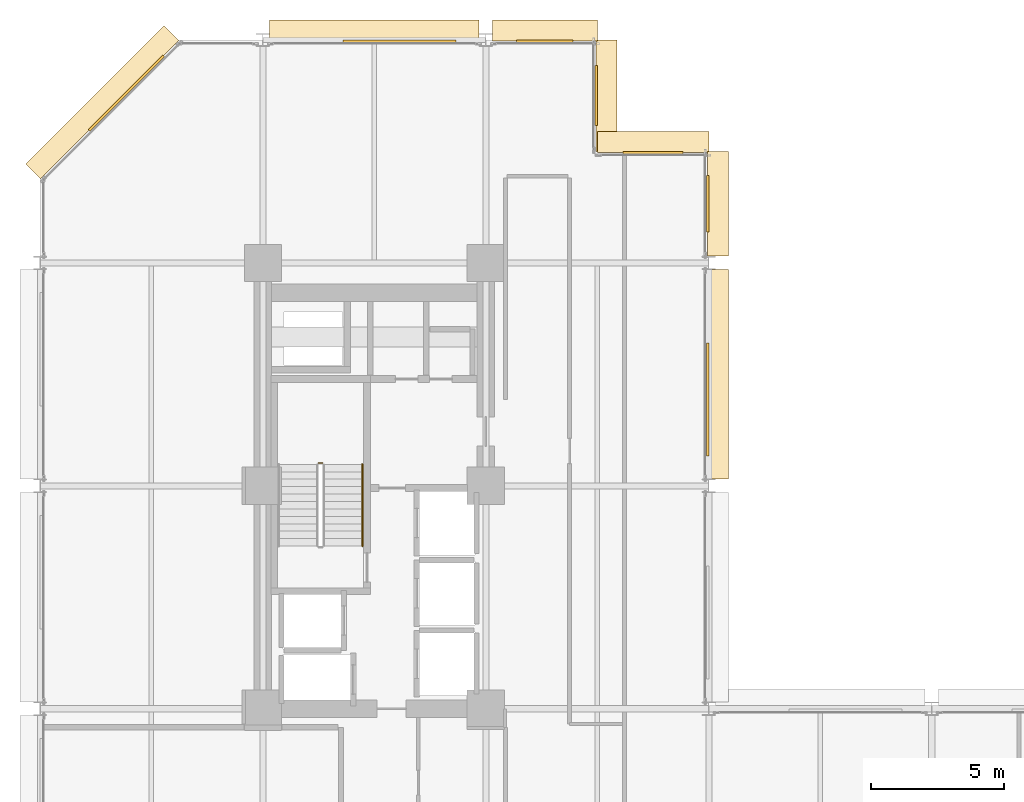
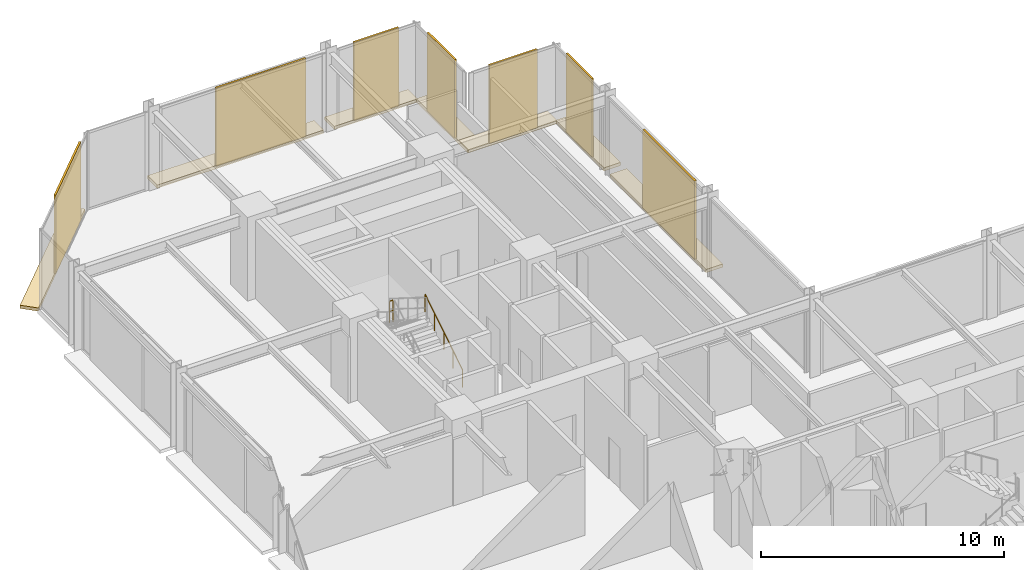
# One storey, part 27 of 27: 14 coverings, 2 railings.
"""IFC4 building model written with IfcOpenShell, lengths in metres."""

from ifc_helpers import new_model, si_unit, direction, frame, origin, origin_2d, place, context, subcontext, project, spatial, polyline, rectangle, circle, outline, extrude, material, layer, layer_set, type_object, element, save


model = new_model("IFC4")

# Units and contexts
model_context = context("Model", 3, precision=1e-05, world=origin(), true_north=direction((0.0, 1.0)))
body_context = subcontext(model_context, "Body", "Model", "MODEL_VIEW")
ifc_project = project(units=[si_unit("LENGTHUNIT", "METRE"), si_unit("AREAUNIT", "SQUARE_METRE"), si_unit("VOLUMEUNIT", "CUBIC_METRE"), si_unit("PLANEANGLEUNIT", "RADIAN"), si_unit("MASSUNIT", "GRAM", prefix="KILO")], contexts=[model_context])

# Site, building, storey
site_placement = place(None, origin())
site = spatial("IfcSite", under=ifc_project, at=site_placement, CompositionType="ELEMENT")
building_placement = place(site_placement, origin())
building = spatial("IfcBuilding", under=site, at=building_placement, Name="Nerrivon Quay Data Exchange", CompositionType="ELEMENT")
storey_placement = place(building_placement, frame((0.0, 0.0, 66.800048828125)))
storey = spatial("IfcBuildingStorey", under=building, at=storey_placement, Name="L15", CompositionType="ELEMENT", Elevation=66.800048828125)

# Coverings
ifc_material_1 = material(Name="Architectural terracotta ceramic", Category="masonry")
ifc_layer_1 = layer(ifc_material_1, 0.159912109375)
ifc_layer_set_1 = layer_set([ifc_layer_1], Name="Architectural terracotta ceramic")
covering_type_1 = type_object("IfcCoveringType", Name="COV-BLD-TERR", PredefinedType="CLADDING", material=ifc_layer_set_1)
covering_1_placement = place(storey_placement, frame((0.0, 0.0, -0.16015625)))
element("IfcCovering", 1, at=covering_1_placement, inside=storey, type_object=covering_type_1, Name="L15 Horizontal Terracotta SOLAR SCREEN Blade", PredefinedType="CLADDING", context=body_context, shape_type="SweptSolid", body=[
    extrude(outline(polyline([(0.0283203125, 45.171630859375), (5.228271484375, 50.37158203125), (4.669677734375, 50.930419921875), (-0.5302734375, 45.730224609375), (0.0283203125, 45.171630859375)])), origin(), (0.0, 0.0, 1.0), 0.16015625),
])
covering_2_placement = place(storey_placement, frame((0.0, 0.0, -0.16015625)))
element("IfcCovering", 2, at=covering_2_placement, inside=storey, type_object=covering_type_1, Name="L15 Horizontal Terracotta SOLAR SCREEN Blade", PredefinedType="CLADDING", context=body_context, shape_type="SweptSolid", body=[
    extrude(outline(polyline([(8.64990234375, 50.360107421875), (16.550048828125, 50.360107421875), (16.550048828125, 51.14990234375), (8.64990234375, 51.14990234375), (8.64990234375, 50.360107421875)])), origin(), (0.0, 0.0, 1.0), 0.16015625),
])
covering_3_placement = place(storey_placement, frame((0.0, 0.0, -0.16015625)))
element("IfcCovering", 3, at=covering_3_placement, inside=storey, type_object=covering_type_1, Name="L15 Horizontal Terracotta SOLAR SCREEN Blade", PredefinedType="CLADDING", context=body_context, shape_type="SweptSolid", body=[
    extrude(outline(polyline([(17.050048828125, 50.360107421875), (21.0, 50.360107421875), (21.0, 51.14990234375), (17.050048828125, 51.14990234375), (17.050048828125, 50.360107421875)])), origin(), (0.0, 0.0, 1.0), 0.16015625),
])
covering_4_placement = place(storey_placement, frame((0.0, 0.0, -0.16015625)))
element("IfcCovering", 4, at=covering_4_placement, inside=storey, type_object=covering_type_1, Name="L15 Horizontal Terracotta SOLAR SCREEN Blade", PredefinedType="CLADDING", context=body_context, shape_type="SweptSolid", body=[
    extrude(outline(polyline([(20.9599609375, 50.39990234375), (20.9599609375, 46.199951171875), (21.75, 46.199951171875), (21.75, 50.39990234375), (20.9599609375, 50.39990234375)])), origin(), (0.0, 0.0, 1.0), 0.16015625),
])
covering_5_placement = place(storey_placement, frame((0.0, 0.0, -0.16015625)))
element("IfcCovering", 5, at=covering_5_placement, inside=storey, type_object=covering_type_1, Name="L15 Horizontal Terracotta SOLAR SCREEN Blade", PredefinedType="CLADDING", context=body_context, shape_type="SweptSolid", body=[
    extrude(outline(polyline([(21.0, 46.159912109375), (25.199951171875, 46.159912109375), (25.199951171875, 46.949951171875), (21.0, 46.949951171875), (21.0, 46.159912109375)])), origin(), (0.0, 0.0, 1.0), 0.16015625),
])
covering_6_placement = place(storey_placement, frame((0.0, 0.0, -0.16015625)))
element("IfcCovering", 6, at=covering_6_placement, inside=storey, type_object=covering_type_1, Name="L15 Horizontal Terracotta SOLAR SCREEN Blade", PredefinedType="CLADDING", context=body_context, shape_type="SweptSolid", body=[
    extrude(outline(polyline([(25.159912109375, 46.199951171875), (25.159912109375, 42.25), (25.949951171875, 42.25), (25.949951171875, 46.199951171875), (25.159912109375, 46.199951171875)])), origin(), (0.0, 0.0, 1.0), 0.16015625),
])
covering_7_placement = place(storey_placement, frame((0.0, 0.0, -0.16015625)))
element("IfcCovering", 7, at=covering_7_placement, inside=storey, type_object=covering_type_1, Name="L15 Horizontal Terracotta SOLAR SCREEN Blade", PredefinedType="CLADDING", context=body_context, shape_type="SweptSolid", body=[
    extrude(outline(polyline([(25.159912109375, 41.75), (25.159912109375, 33.85009765625), (25.949951171875, 33.85009765625), (25.949951171875, 41.75), (25.159912109375, 41.75)])), origin(), (0.0, 0.0, 1.0), 0.16015625),
])
ifc_layer_2 = layer(ifc_material_1, 0.090087890625)
ifc_layer_set_2 = layer_set([ifc_layer_2], Name="Architectural terracotta ceramic")
covering_type_2 = type_object("IfcCoveringType", Name="COV-SCR-TERR", PredefinedType="CLADDING", material=ifc_layer_set_2)
covering_8_placement = place(storey_placement, frame((3.255859375, 48.39208984375, 0.0), z_axis=(0.0, 0.0, 1.0), x_axis=(0.707106781187, 0.707106781187, 0.0)))
element("IfcCovering", 8, at=covering_8_placement, inside=storey, type_object=covering_type_2, Name="L15 Perforated Terracotta SOLAR SCREEN Cassette", PredefinedType="CLADDING", context=body_context, shape_type="SweptSolid", body=[
    extrude(rectangle(XDim=3.970947265625, YDim=0.090087890625, at=origin_2d()), origin(), (0.0, 0.0, 1.0), 3.925048828125),
])
covering_9_placement = place(storey_placement, frame((13.548095703125, 50.35498046875, 0.0), z_axis=(0.0, 0.0, 1.0), x_axis=(1.0, 0.0, 0.0)))
element("IfcCovering", 9, at=covering_9_placement, inside=storey, type_object=covering_type_2, Name="L15 Perforated Terracotta SOLAR SCREEN Cassette", PredefinedType="CLADDING", context=body_context, shape_type="SweptSolid", body=[
    extrude(rectangle(XDim=4.26611328125, YDim=0.090087890625, at=origin_2d()), origin(), (0.0, 0.0, 1.0), 3.925048828125),
])
covering_10_placement = place(storey_placement, frame((19.02490234375, 50.35498046875, 0.0), z_axis=(0.0, 0.0, 1.0), x_axis=(1.0, 0.0, 0.0)))
element("IfcCovering", 10, at=covering_10_placement, inside=storey, type_object=covering_type_2, Name="L15 Perforated Terracotta SOLAR SCREEN Cassette", PredefinedType="CLADDING", context=body_context, shape_type="SweptSolid", body=[
    extrude(rectangle(XDim=2.133056640625, YDim=0.090087890625, at=origin_2d()), origin(), (0.0, 0.0, 1.0), 3.925048828125),
])
for number, where, z_axis, x_axis, name in (
    (11, (20.955078125, 48.300048828125, 0.0), (0.0, 0.0, 1.0), (0.0, -1.0, 0.0), "L15 Perforated Terracotta SOLAR SCREEN Cassette"),
    (12, (23.10009765625, 46.155029296875, 0.0), (0.0, 0.0, 1.0), (1.0, 0.0, 0.0), "L15 Perforated Terracotta SOLAR SCREEN Cassette"),
):
    element("IfcCovering", number, at=place(storey_placement, frame(where, z_axis=z_axis, x_axis=x_axis)), inside=storey, type_object=covering_type_2, Name=name, PredefinedType="CLADDING", context=body_context, shape_type="SweptSolid", body=[
        extrude(rectangle(XDim=2.26806640625, YDim=0.090087890625, at=origin_2d()), origin(), (0.0, 0.0, 1.0), 3.925048828125),
    ])
covering_11_placement = place(storey_placement, frame((25.155029296875, 44.22509765625, 0.0), z_axis=(0.0, 0.0, 1.0), x_axis=(0.0, -1.0, 0.0)))
element("IfcCovering", 13, at=covering_11_placement, inside=storey, type_object=covering_type_2, Name="L15 Perforated Terracotta SOLAR SCREEN Cassette", PredefinedType="CLADDING", context=body_context, shape_type="SweptSolid", body=[
    extrude(rectangle(XDim=2.133056640625, YDim=0.090087890625, at=origin_2d()), origin(), (0.0, 0.0, 1.0), 3.925048828125),
])
covering_12_placement = place(storey_placement, frame((25.155029296875, 36.85205078125, 0.0), z_axis=(0.0, 0.0, 1.0), x_axis=(0.0, -1.0, 0.0)))
element("IfcCovering", 14, at=covering_12_placement, inside=storey, type_object=covering_type_2, Name="L15 Perforated Terracotta SOLAR SCREEN Cassette", PredefinedType="CLADDING", context=body_context, shape_type="SweptSolid", body=[
    extrude(rectangle(XDim=4.26611328125, YDim=0.090087890625, at=origin_2d()), origin(), (0.0, 0.0, 1.0), 3.925048828125),
])

# Railings
ifc_material_2 = material(Name="Steel Grade C350L0 (350 MPa)", Category="steel")
railing_type_1 = type_object("IfcRailingType", Name="RAIL-HAND-HR1", PredefinedType="HANDRAIL", material=ifc_material_2)
railing_1_placement = place(storey_placement, frame((12.14990234375, 31.330078125, 0.175048828125)))
element("IfcRailing", 15, at=railing_1_placement, inside=storey, type_object=railing_type_1, Name="L15 ST01 stair handrail 1", PredefinedType="HANDRAIL", context=body_context, shape_type="SweptSolid", body=[
    extrude(circle(Radius=0.02392578125, at=origin_2d()), frame((0.0, 0.0, 0.8759765625), z_axis=(0.0, 0.848009633417, 0.529980812513), x_axis=(-1.0, 0.0, 0.0)), (0.0, 0.0, 1.0), 3.6318359375),
    extrude(circle(Radius=0.02099609375, at=origin_2d()), origin(), (0.0, 0.0, 1.0), 0.851806640625),
    extrude(circle(Radius=0.02099609375, at=origin_2d()), frame((0.0, 0.77001953125, 0.481201171875)), (0.0, 0.0, 1.0), 0.851806640625),
    extrude(circle(Radius=0.02099609375, at=origin_2d()), frame((0.0, 1.5400390625, 0.96240234375)), (0.0, 0.0, 1.0), 0.851806640625),
    extrude(circle(Radius=0.02099609375, at=origin_2d()), frame((0.0, 2.309814453125, 1.443603515625)), (0.0, 0.0, 1.0), 0.851806640625),
    extrude(circle(Radius=0.02099609375, at=origin_2d()), frame((0.0, 3.079833984375, 1.9248046875)), (0.0, 0.0, 1.0), 0.851806640625),
])
railing_type_2 = type_object("IfcRailingType", Name="RAIL-STAIR-GR1", PredefinedType="BALUSTRADE", material=ifc_material_2)
railing_2_placement = place(storey_placement, frame((10.64990234375, 34.4599609375, 2.099853515625)))
element("IfcRailing", 16, at=railing_2_placement, inside=storey, type_object=railing_type_2, Name="L15 ST01 stair guard 2", PredefinedType="BALUSTRADE", context=body_context, shape_type="SweptSolid", body=[
    extrude(circle(Radius=0.02392578125, at=origin_2d()), frame((0.0, 0.0, 1.076171875), z_axis=(-1.0, 0.0, 0.0), x_axis=(0.0, -1.0, 0.0)), (0.0, 0.0, 1.0), 0.14990234375),
    extrude(circle(Radius=0.02392578125, at=origin_2d()), frame((0.0, 0.0, 0.550048828125), z_axis=(-1.0, 0.0, 0.0), x_axis=(0.0, -1.0, 0.0)), (0.0, 0.0, 1.0), 0.14990234375),
    extrude(circle(Radius=0.02099609375, at=origin_2d()), origin(), (0.0, 0.0, 1.0), 1.052001953125),
    extrude(circle(Radius=0.02099609375, at=origin_2d()), frame((-0.14990234375, 0.0, 0.0)), (0.0, 0.0, 1.0), 1.052001953125),
])

save(model, "model.ifc")
